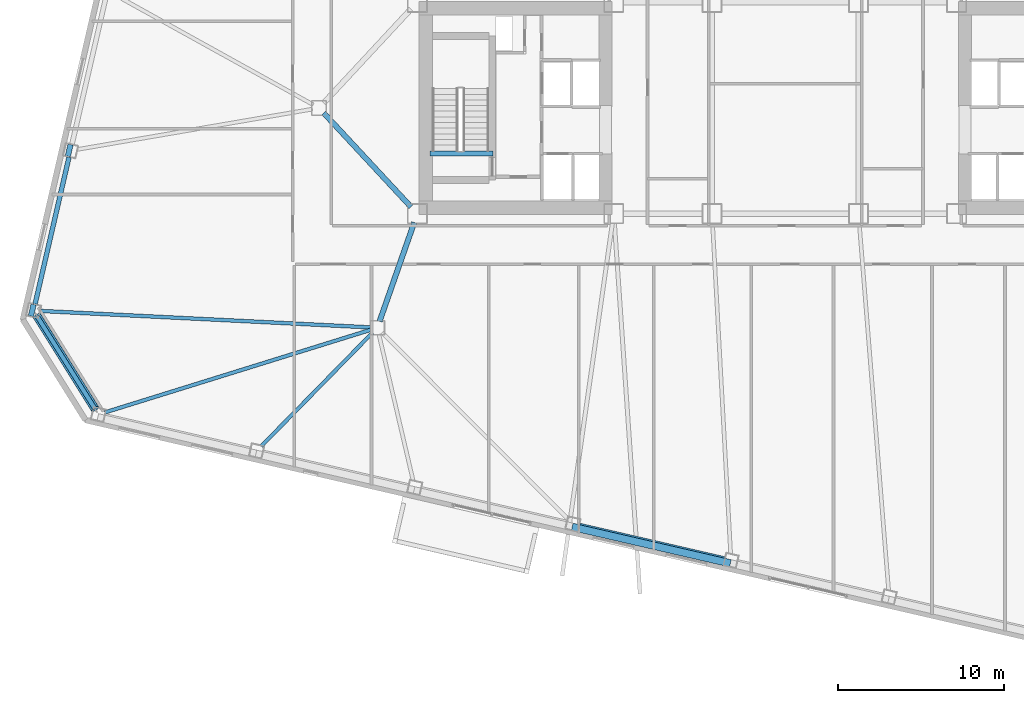
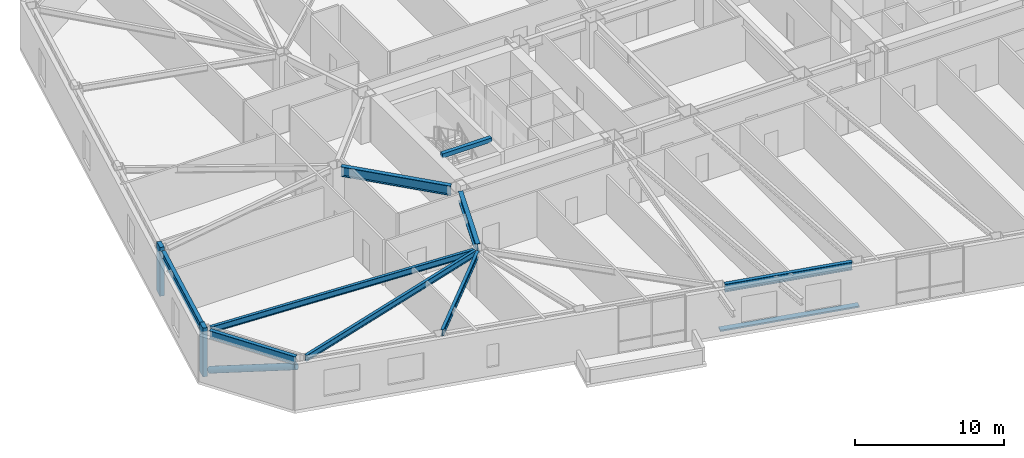
# One storey, part 3 of 22: 9 beams, 4 members.
"""IFC4 building model written with IfcOpenShell, lengths in metres."""

from ifc_helpers import new_model, si_unit, direction, frame, origin, origin_2d, place, context, subcontext, project, spatial, rectangle, hollow_circle, i_section, extrude, material, material_profile, profile_set, type_object, element, save


model = new_model("IFC4")

# Units and contexts
model_context = context("Model", 3, precision=1e-05, world=origin(), true_north=direction((0.0, 1.0)))
body_context = subcontext(model_context, "Body", "Model", "MODEL_VIEW")
ifc_project = project(units=[si_unit("LENGTHUNIT", "METRE"), si_unit("AREAUNIT", "SQUARE_METRE"), si_unit("VOLUMEUNIT", "CUBIC_METRE"), si_unit("PLANEANGLEUNIT", "RADIAN"), si_unit("MASSUNIT", "GRAM", prefix="KILO")], contexts=[model_context])

# Site, building, storey
site_placement = place(None, origin())
site = spatial("IfcSite", under=ifc_project, at=site_placement, CompositionType="ELEMENT")
building_placement = place(site_placement, origin())
building = spatial("IfcBuilding", under=site, at=building_placement, Name="Tavrogorsk Clinical Tower", CompositionType="ELEMENT")
storey_placement = place(building_placement, frame((0.0, 0.0, 55.39990234375)))
storey = spatial("IfcBuildingStorey", under=building, at=storey_placement, Name="L11", CompositionType="ELEMENT", Elevation=55.39990234375)

# Members
ifc_material_1 = material(Name="Anodised aluminium alloy AW-6063", Category="aluminium")
ifc_material_profile_1 = material_profile(ifc_material_1, rectangle(XDim=0.449951171875, YDim=0.1201171875, at=origin_2d()), Name="ALU-SUNSHADE-450x120")
ifc_profile_set_1 = profile_set([ifc_material_profile_1], Name="Anodised aluminium alloy AW-6063")
member_type_1 = type_object("IfcMemberType", Name="ChicagoSunshade_450x120", PredefinedType="USERDEFINED", material=ifc_profile_set_1)
member_1_placement = place(storey_placement, frame((-12.795654296875, -25.16015625, 0.18017578125), z_axis=(0.974366709214, -0.224965588425, 0.0), x_axis=(0.224965588425, 0.974366709214, 0.0)))
element("IfcMember", 1, at=member_1_placement, inside=storey, type_object=member_type_1, Name="L11 South Aluminium Sunshade S4", ObjectType="SUNSHADE", PredefinedType="USERDEFINED", context=body_context, shape_type="SweptSolid", body=[
    extrude(rectangle(XDim=0.449951171875, YDim=0.1201171875, at=origin_2d()), origin(), (0.0, 0.0, 1.0), 9.748779296875),
])
ifc_material_2 = material(Name="Structural steel S440", Category="steel")
ifc_material_profile_2 = material_profile(ifc_material_2, hollow_circle(Radius=0.25390625, WallThickness=0.02001953125, at=origin_2d()), Name="CHS-508x20")
ifc_profile_set_2 = profile_set([ifc_material_profile_2], Name="Structural steel S440")
member_type_2 = type_object("IfcMemberType", Name="ExoBrace_CHS508", PredefinedType="BRACE", material=ifc_profile_set_2)
member_2_placement = place(storey_placement, frame((-44.94580078125, -12.49365234375, 0.442626953125), z_axis=(0.496582474856, -0.794677778576, 0.349131886118), x_axis=(0.84804201203, 0.529929000746, 0.0)))
element("IfcMember", 2, at=member_2_placement, inside=storey, type_object=member_type_2, Name="L11 Corner Exoskeleton Brace W5-S1", PredefinedType="BRACE", context=body_context, shape_type="SweptSolid", body=[
    extrude(hollow_circle(Radius=0.25390625, WallThickness=0.02001953125, at=origin_2d()), origin(), (0.0, 0.0, 1.0), 7.031982421875),
])

# Beams
ifc_material_3 = material(Name="Structural steel S355", Category="steel")
ifc_material_profile_3 = material_profile(ifc_material_3, i_section(OverallWidth=0.219970703125, OverallDepth=0.5, WebThickness=0.012939453125, FlangeThickness=0.02001953125, at=origin_2d()), Name="B-500x220x13x20")
ifc_profile_set_3 = profile_set([ifc_material_profile_3], Name="Structural steel S355")
beam_type_1 = type_object("IfcBeamType", Name="FloorBeam_B500", PredefinedType="BEAM", material=ifc_profile_set_3)
beam_1_placement = place(storey_placement, frame((-24.8916015625, -13.32177734375, 3.489990234375), z_axis=(-0.954946638684, -0.296777555193, 0.0), x_axis=(0.296777555193, -0.954946638684, 0.0)))
element("IfcBeam", 3, at=beam_1_placement, inside=storey, type_object=beam_type_1, Name="L11 Radial Floor Beam S1", PredefinedType="BEAM", context=body_context, shape_type="SweptSolid", body=[
    extrude(i_section(OverallWidth=0.219970703125, OverallDepth=0.5, WebThickness=0.012939453125, FlangeThickness=0.02001953125, at=origin_2d()), origin(), (0.0, 0.0, 1.0), 16.723388671875),
])
beam_2_placement = place(storey_placement, frame((-24.787109375, -13.492919921875, 3.489990234375), z_axis=(-0.699997226081, -0.714145561828, 0.0), x_axis=(0.714145561828, -0.699997226081, 0.0)))
element("IfcBeam", 4, at=beam_2_placement, inside=storey, type_object=beam_type_1, Name="L11 Radial Floor Beam S2", PredefinedType="BEAM", context=body_context, shape_type="SweptSolid", body=[
    extrude(i_section(OverallWidth=0.219970703125, OverallDepth=0.5, WebThickness=0.012939453125, FlangeThickness=0.02001953125, at=origin_2d()), origin(), (0.0, 0.0, 1.0), 9.54248046875),
])
beam_3_placement = place(storey_placement, frame((-24.909423828125, -13.179443359375, 3.489990234375), z_axis=(-0.998757515428, 0.049833978136, 0.0), x_axis=(-0.049833978136, -0.998757515428, 0.0)))
element("IfcBeam", 5, at=beam_3_placement, inside=storey, type_object=beam_type_1, Name="L11 Radial Floor Beam W5", PredefinedType="BEAM", context=body_context, shape_type="SweptSolid", body=[
    extrude(i_section(OverallWidth=0.219970703125, OverallDepth=0.5, WebThickness=0.012939453125, FlangeThickness=0.02001953125, at=origin_2d()), origin(), (0.0, 0.0, 1.0), 19.85595703125),
])

# Members
ifc_material_4 = material(Name="Precast concrete B45 with limestone cladding", Category="masonry")
ifc_material_profile_4 = material_profile(ifc_material_4, rectangle(XDim=0.320068359375, YDim=0.719970703125, at=origin_2d()), Name="LIMESTONE-FIN-320x720")
ifc_profile_set_4 = profile_set([ifc_material_profile_4], Name="Precast concrete B45 with limestone cladding")
member_type_3 = type_object("IfcMemberType", Name="LimestonePleatFin_320x720", PredefinedType="USERDEFINED", material=ifc_profile_set_4)
for number, where, z_axis, x_axis, name in (
    (6, (-43.008056640625, -2.544189453125, 0.0), (0.0, 0.0, 1.0), (0.974370064785, -0.224951054344, 0.0), "L11 W Pleated Stone Fin 3"),
    (7, (-45.226318359375, -12.151611328125, 0.0), (0.0, 0.0, 1.0), (0.974370064785, -0.224951054344, 0.0), "L11 W Pleated Stone Fin 4"),
):
    element("IfcMember", number, at=place(storey_placement, frame(where, z_axis=z_axis, x_axis=x_axis)), inside=storey, type_object=member_type_3, Name=name, ObjectType="FIN", PredefinedType="USERDEFINED", context=body_context, shape_type="SweptSolid", body=[
        extrude(rectangle(XDim=0.320068359375, YDim=0.719970703125, at=origin_2d()), origin(), (0.0, 0.0, 1.0), 4.0),
    ])

# Beams
ifc_material_5 = material(Name="Structural steel S390", Category="steel")
ifc_material_profile_5 = material_profile(ifc_material_5, i_section(OverallWidth=0.320068359375, OverallDepth=0.800048828125, WebThickness=0.02001953125, FlangeThickness=0.033935546875, at=origin_2d()), Name="B-800x320x20x34")
ifc_profile_set_5 = profile_set([ifc_material_profile_5], Name="Structural steel S390")
beam_type_2 = type_object("IfcBeamType", Name="PrimaryGirder_B800", PredefinedType="USERDEFINED", material=ifc_profile_set_5)
beam_4_placement = place(storey_placement, frame((-24.364501953125, -12.81298828125, 3.340087890625), z_axis=(0.330668611543, 0.943746930771, 0.0), x_axis=(-0.943746930771, 0.330668611543, 0.0)))
element("IfcBeam", 8, at=beam_4_placement, inside=storey, type_object=beam_type_2, Name="L11 Spine Link Girder OPG-1", ObjectType="GIRDER", PredefinedType="USERDEFINED", context=body_context, shape_type="SweptSolid", body=[
    extrude(i_section(OverallWidth=0.320068359375, OverallDepth=0.800048828125, WebThickness=0.02001953125, FlangeThickness=0.033935546875, at=origin_2d()), origin(), (0.0, 0.0, 1.0), 6.288330078125),
])
beam_5_placement = place(storey_placement, frame((-27.720947265625, -0.30029296875, 3.340087890625), z_axis=(0.680671250221, -0.732589004233, 0.0), x_axis=(0.732589004233, 0.680671250221, 0.0)))
element("IfcBeam", 9, at=beam_5_placement, inside=storey, type_object=beam_type_2, Name="L11 Spine Link Girder OPG-5", ObjectType="GIRDER", PredefinedType="USERDEFINED", context=body_context, shape_type="SweptSolid", body=[
    extrude(i_section(OverallWidth=0.320068359375, OverallDepth=0.800048828125, WebThickness=0.02001953125, FlangeThickness=0.033935546875, at=origin_2d()), origin(), (0.0, 0.0, 1.0), 7.697998046875),
])
ifc_material_6 = material(Name="Structural steel S390", Category="steel")
ifc_material_profile_6 = material_profile(ifc_material_6, i_section(OverallWidth=0.280029296875, OverallDepth=0.64990234375, WebThickness=0.01611328125, FlangeThickness=0.02490234375, at=origin_2d()), Name="B-650x280x16x25")
ifc_profile_set_6 = profile_set([ifc_material_profile_6], Name="Structural steel S390")
beam_type_3 = type_object("IfcBeamType", Name="SpandrelBeam_B650", PredefinedType="SPANDREL", material=ifc_profile_set_6)
beam_6_placement = place(storey_placement, frame((-12.357666015625, -25.07666015625, 3.4150390625), z_axis=(0.974372766602, -0.224939351168, 0.0), x_axis=(0.224939351168, 0.974372766602, 0.0)))
element("IfcBeam", 10, at=beam_6_placement, inside=storey, type_object=beam_type_3, Name="L11 Perimeter Spandrel S4-S5", PredefinedType="SPANDREL", context=body_context, shape_type="SweptSolid", body=[
    extrude(i_section(OverallWidth=0.280029296875, OverallDepth=0.64990234375, WebThickness=0.01611328125, FlangeThickness=0.02490234375, at=origin_2d()), origin(), (0.0, 0.0, 1.0), 8.9326171875),
])
beam_7_placement = place(storey_placement, frame((-43.02197265625, -2.959716796875, 3.4150390625), z_axis=(-0.224971881043, -0.974365256328, 0.0), x_axis=(0.974365256328, -0.224971881043, 0.0)))
element("IfcBeam", 11, at=beam_7_placement, inside=storey, type_object=beam_type_3, Name="L11 Perimeter Spandrel W4-W5", PredefinedType="SPANDREL", context=body_context, shape_type="SweptSolid", body=[
    extrude(i_section(OverallWidth=0.280029296875, OverallDepth=0.64990234375, WebThickness=0.01611328125, FlangeThickness=0.02490234375, at=origin_2d()), origin(), (0.0, 0.0, 1.0), 9.044189453125),
])
beam_8_placement = place(storey_placement, frame((-44.93212890625, -12.515380859375, 3.4150390625), z_axis=(0.529908311255, -0.848054940238, 0.0), x_axis=(0.848054940238, 0.529908311255, 0.0)))
element("IfcBeam", 12, at=beam_8_placement, inside=storey, type_object=beam_type_3, Name="L11 Perimeter Spandrel W5-S1", PredefinedType="SPANDREL", context=body_context, shape_type="SweptSolid", body=[
    extrude(i_section(OverallWidth=0.280029296875, OverallDepth=0.64990234375, WebThickness=0.01611328125, FlangeThickness=0.02490234375, at=origin_2d()), origin(), (0.0, 0.0, 1.0), 6.5380859375),
])
ifc_material_7 = material(Name="Concrete B60", Category="concrete")
ifc_material_profile_7 = material_profile(ifc_material_7, rectangle(XDim=0.300048828125, YDim=0.35009765625, at=origin_2d()), Name="RC-SHB-300x350")
ifc_profile_set_7 = profile_set([ifc_material_profile_7], Name="Concrete B60")
beam_type_4 = type_object("IfcBeamType", Name="StairHeaderBeam_RC300x350", PredefinedType="BEAM", material=ifc_profile_set_7)
beam_9_placement = place(storey_placement, frame((-21.35009765625, -2.719970703125, 3.8251953125), z_axis=(1.0, 0.0, 0.0), x_axis=(0.0, 1.0, 0.0)))
element("IfcBeam", 13, at=beam_9_placement, inside=storey, type_object=beam_type_4, Name="L12 ST-W Landing Header Beam", PredefinedType="BEAM", context=body_context, shape_type="SweptSolid", body=[
    extrude(rectangle(XDim=0.300048828125, YDim=0.35009765625, at=origin_2d()), origin(), (0.0, 0.0, 1.0), 3.800048828125),
])

save(model, "model.ifc")
